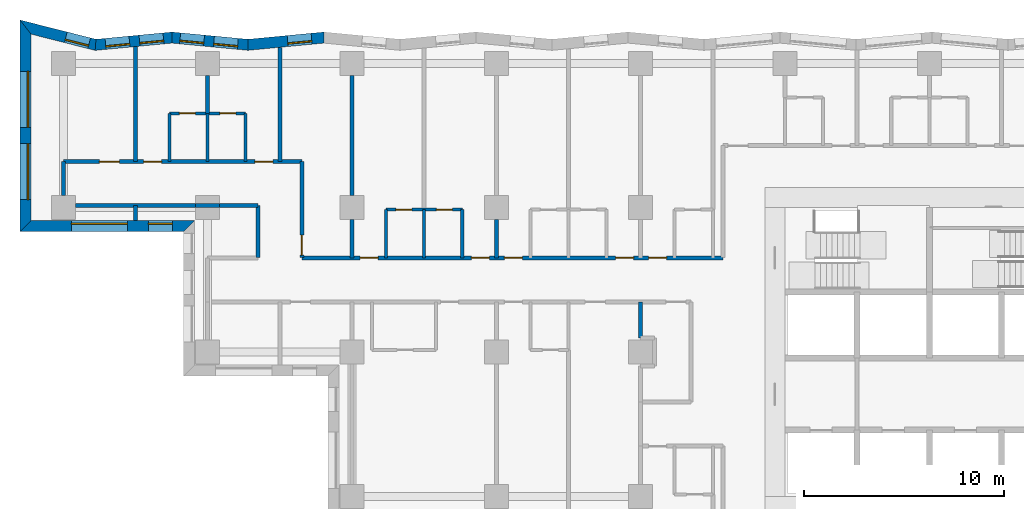
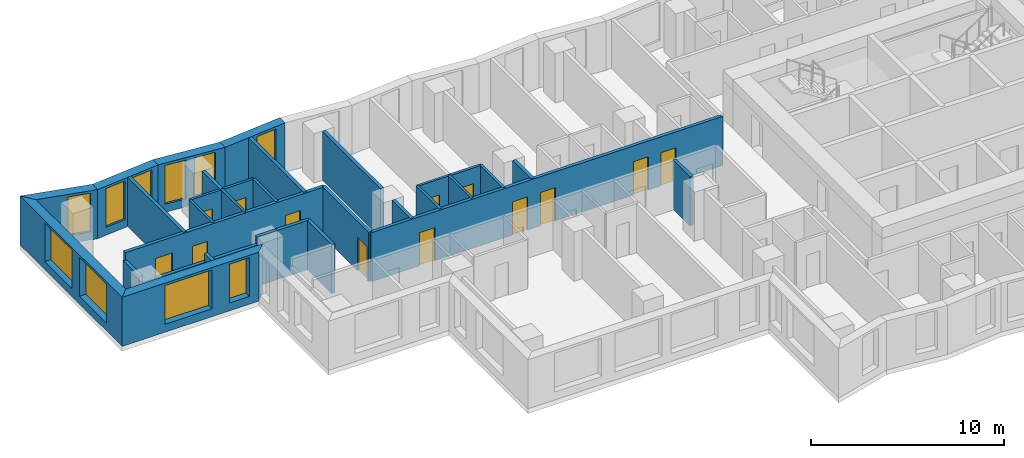
# One storey, part 4 of 13: 30 walls, 13 doors, 10 windows, 23 openings.
"""IFC4 building model written with IfcOpenShell, lengths in metres."""

from ifc_helpers import new_model, si_unit, direction, frame, frame_2d, origin, place, context, subcontext, project, spatial, polyline, rectangle, outline, extrude, material, layer, layer_set, type_object, element, fill, save


model = new_model("IFC4")

# Units and contexts
model_context = context("Model", 3, precision=1e-05, world=origin(), true_north=direction((0.0, 1.0)))
body_context = subcontext(model_context, "Body", "Model", "MODEL_VIEW")
ifc_project = project(units=[si_unit("LENGTHUNIT", "METRE"), si_unit("AREAUNIT", "SQUARE_METRE"), si_unit("VOLUMEUNIT", "CUBIC_METRE"), si_unit("PLANEANGLEUNIT", "RADIAN"), si_unit("MASSUNIT", "GRAM", prefix="KILO")], contexts=[model_context])

# Site, building, storey
site_placement = place(None, origin())
site = spatial("IfcSite", under=ifc_project, at=site_placement, CompositionType="ELEMENT")
building_placement = place(site_placement, origin())
building = spatial("IfcBuilding", under=site, at=building_placement, Name="Windrow Commons", CompositionType="ELEMENT")
storey_placement = place(building_placement, frame((0.0, 0.0, 33.8)))
storey = spatial("IfcBuildingStorey", under=building, at=storey_placement, Name="L08", CompositionType="ELEMENT", Elevation=33.8)

# Wall, opening, window
ifc_material_1 = material(Name="Brick masonry, red clay brick", Category="masonry")
ifc_layer_1 = layer(ifc_material_1, 0.55)
ifc_layer_set_1 = layer_set([ifc_layer_1], Name="Brick facade wall 550")
wall_type_1 = type_object("IfcWallType", Name="Brick facade wall 550", PredefinedType="SOLIDWALL", material=ifc_layer_set_1)
wall_1_placement = place(storey_placement, frame((34.603, 73.2848, 0.0), z_axis=(0.0, 0.0, 1.0), x_axis=(-0.9954966527, -0.0947967005, 0.0)))
wall_1 = element("IfcWall", 1, at=wall_1_placement, inside=storey, type_object=wall_type_1, Name="Brick facade wall L08 35", PredefinedType="SOLIDWALL", context=body_context, shape_type="SweptSolid", body=[
    extrude(outline(polyline([(-0.0262, -0.275), (3.782, -0.275), (3.8343, 0.275), (0.0262, 0.275), (-0.0262, -0.275)])), origin(), (0.0, 0.0, 1.0), 3.1),
])
opening_1_placement = place(wall_1_placement, frame((0.6196, 0.0, 0.5)))
opening_1 = element("IfcOpeningElement", 2, at=opening_1_placement, cuts=wall_1, Name="Opening W7D", PredefinedType="OPENING", context=body_context, shape_type="SweptSolid", body=[
    extrude(rectangle(XDim=1.2, YDim=2.45, at=frame_2d((0.6, 1.225))), frame((0.0, 0.285, 0.0), z_axis=(0.0, -1.0, 0.0), x_axis=(1.0, 0.0, 0.0)), (0.0, 0.0, 1.0), 0.57),
])
ifc_material_2 = material(Name="Clear float glass in anodised aluminium frame", Category="aluminium")
window_type_1 = type_object("IfcWindowType", Name="Window W7 notch 1200x2450", PartitioningType="SINGLE_PANEL", PredefinedType="WINDOW", material=ifc_material_2)
window_1_placement = place(opening_1_placement, origin())
window_1 = element("IfcWindow", 3, at=window_1_placement, inside=storey, type_object=window_type_1, Name="Window L08 35.1", OverallHeight=2.45, OverallWidth=1.2, PartitioningType="SINGLE_PANEL", PredefinedType="WINDOW", context=body_context, shape_type="SweptSolid", body=[
    extrude(rectangle(XDim=1.2, YDim=2.45, at=frame_2d((0.6, 1.225))), frame((0.0, 0.155, 0.0), z_axis=(0.0, -1.0, 0.0), x_axis=(1.0, 0.0, 0.0)), (0.0, 0.0, 1.0), 0.06),
])
fill(opening_1, window_1)

# Wall, openings, windows
wall_2_placement = place(storey_placement, frame((30.812, 72.9238, 0.0), z_axis=(0.0, 0.0, 1.0), x_axis=(-0.9954966527, 0.0947967005, 0.0)))
wall_2 = element("IfcWall", 4, at=wall_2_placement, inside=storey, type_object=wall_type_1, Name="Brick facade wall L08 36", PredefinedType="SOLIDWALL", context=body_context, shape_type="SweptSolid", body=[
    extrude(outline(polyline([(0.0262, -0.275), (3.8343, -0.275), (3.782, 0.275), (-0.0262, 0.275), (0.0262, -0.275)])), origin(), (0.0, 0.0, 1.0), 3.1),
])
opening_2_placement = place(wall_2_placement, frame((0.5106, 0.0, 0.5)))
opening_2 = element("IfcOpeningElement", 5, at=opening_2_placement, cuts=wall_2, Name="Opening W7D", PredefinedType="OPENING", context=body_context, shape_type="SweptSolid", body=[
    extrude(rectangle(XDim=1.2, YDim=2.45, at=frame_2d((0.6, 1.225))), frame((0.0, 0.285, 0.0), z_axis=(0.0, -1.0, 0.0), x_axis=(1.0, 0.0, 0.0)), (0.0, 0.0, 1.0), 0.57),
])
opening_3_placement = place(wall_2_placement, frame((2.2016, 0.0, 0.5)))
opening_3 = element("IfcOpeningElement", 6, at=opening_3_placement, cuts=wall_2, Name="Opening W7D", PredefinedType="OPENING", context=body_context, shape_type="SweptSolid", body=[
    extrude(rectangle(XDim=1.2, YDim=2.45, at=frame_2d((0.6, 1.225))), frame((0.0, 0.285, 0.0), z_axis=(0.0, -1.0, 0.0), x_axis=(1.0, 0.0, 0.0)), (0.0, 0.0, 1.0), 0.57),
])
window_2_placement = place(opening_2_placement, origin())
window_2 = element("IfcWindow", 7, at=window_2_placement, inside=storey, type_object=window_type_1, Name="Window L08 36.1", OverallHeight=2.45, OverallWidth=1.2, PartitioningType="SINGLE_PANEL", PredefinedType="WINDOW", context=body_context, shape_type="SweptSolid", body=[
    extrude(rectangle(XDim=1.2, YDim=2.45, at=frame_2d((0.6, 1.225))), frame((0.0, 0.155, 0.0), z_axis=(0.0, -1.0, 0.0), x_axis=(1.0, 0.0, 0.0)), (0.0, 0.0, 1.0), 0.06),
])
fill(opening_2, window_2)
window_3_placement = place(opening_3_placement, origin())
window_3 = element("IfcWindow", 8, at=window_3_placement, inside=storey, type_object=window_type_1, Name="Window L08 36.2", OverallHeight=2.45, OverallWidth=1.2, PartitioningType="SINGLE_PANEL", PredefinedType="WINDOW", context=body_context, shape_type="SweptSolid", body=[
    extrude(rectangle(XDim=1.2, YDim=2.45, at=frame_2d((0.6, 1.225))), frame((0.0, 0.155, 0.0), z_axis=(0.0, -1.0, 0.0), x_axis=(1.0, 0.0, 0.0)), (0.0, 0.0, 1.0), 0.06),
])
fill(opening_3, window_3)

wall_3_placement = place(storey_placement, frame((27.021, 73.2848, 0.0), z_axis=(0.0, 0.0, 1.0), x_axis=(-0.9954951205, -0.0948127894, 0.0)))
wall_3 = element("IfcWall", 9, at=wall_3_placement, inside=storey, type_object=wall_type_1, Name="Brick facade wall L08 37", PredefinedType="SOLIDWALL", context=body_context, shape_type="SweptSolid", body=[
    extrude(outline(polyline([(-0.0262, -0.275), (3.782, -0.275), (3.8773, 0.275), (0.0262, 0.275), (-0.0262, -0.275)])), origin(), (0.0, 0.0, 1.0), 3.1),
])
opening_4_placement = place(wall_3_placement, frame((0.4277, 0.0, 0.5)))
opening_4 = element("IfcOpeningElement", 10, at=opening_4_placement, cuts=wall_3, Name="Opening W7D", PredefinedType="OPENING", context=body_context, shape_type="SweptSolid", body=[
    extrude(rectangle(XDim=1.2, YDim=2.45, at=frame_2d((0.6, 1.225))), frame((0.0, 0.285, 0.0), z_axis=(0.0, -1.0, 0.0), x_axis=(1.0, 0.0, 0.0)), (0.0, 0.0, 1.0), 0.57),
])
opening_5_placement = place(wall_3_placement, frame((2.1294, 0.0, 0.5)))
opening_5 = element("IfcOpeningElement", 11, at=opening_5_placement, cuts=wall_3, Name="Opening W7D", PredefinedType="OPENING", context=body_context, shape_type="SweptSolid", body=[
    extrude(rectangle(XDim=1.2, YDim=2.45, at=frame_2d((0.6, 1.225))), frame((0.0, 0.285, 0.0), z_axis=(0.0, -1.0, 0.0), x_axis=(1.0, 0.0, 0.0)), (0.0, 0.0, 1.0), 0.57),
])
window_4_placement = place(opening_4_placement, origin())
window_4 = element("IfcWindow", 12, at=window_4_placement, inside=storey, type_object=window_type_1, Name="Window L08 37.1", OverallHeight=2.45, OverallWidth=1.2, PartitioningType="SINGLE_PANEL", PredefinedType="WINDOW", context=body_context, shape_type="SweptSolid", body=[
    extrude(rectangle(XDim=1.2, YDim=2.45, at=frame_2d((0.6, 1.225))), frame((0.0, 0.155, 0.0), z_axis=(0.0, -1.0, 0.0), x_axis=(1.0, 0.0, 0.0)), (0.0, 0.0, 1.0), 0.06),
])
fill(opening_4, window_4)
window_5_placement = place(opening_5_placement, origin())
window_5 = element("IfcWindow", 13, at=window_5_placement, inside=storey, type_object=window_type_1, Name="Window L08 37.2", OverallHeight=2.45, OverallWidth=1.2, PartitioningType="SINGLE_PANEL", PredefinedType="WINDOW", context=body_context, shape_type="SweptSolid", body=[
    extrude(rectangle(XDim=1.2, YDim=2.45, at=frame_2d((0.6, 1.225))), frame((0.0, 0.155, 0.0), z_axis=(0.0, -1.0, 0.0), x_axis=(1.0, 0.0, 0.0)), (0.0, 0.0, 1.0), 0.06),
])
fill(opening_5, window_5)

# Wall, opening, window
wall_4_placement = place(storey_placement, frame((23.2086, 72.9217, 0.0), z_axis=(0.0, 0.0, 1.0), x_axis=(-0.9693377173, 0.2457323539, 0.0)))
wall_4 = element("IfcWall", 14, at=wall_4_placement, inside=storey, type_object=wall_type_1, Name="Brick facade wall L08 38", PredefinedType="SOLIDWALL", context=body_context, shape_type="SweptSolid", body=[
    extrude(outline(polyline([(0.0477, -0.275), (3.9586, -0.275), (3.2518, 0.275), (-0.0477, 0.275), (0.0477, -0.275)])), origin(), (0.0, 0.0, 1.0), 3.1),
])
opening_6_placement = place(wall_4_placement, frame((0.3298, 0.0, 0.5)))
opening_6 = element("IfcOpeningElement", 15, at=opening_6_placement, cuts=wall_4, Name="Opening W7D", PredefinedType="OPENING", context=body_context, shape_type="SweptSolid", body=[
    extrude(rectangle(XDim=1.2, YDim=2.45, at=frame_2d((0.6, 1.225))), frame((0.0, 0.285, 0.0), z_axis=(0.0, -1.0, 0.0), x_axis=(1.0, 0.0, 0.0)), (0.0, 0.0, 1.0), 0.57),
])
window_6_placement = place(opening_6_placement, origin())
window_6 = element("IfcWindow", 16, at=window_6_placement, inside=storey, type_object=window_type_1, Name="Window L08 38.1", OverallHeight=2.45, OverallWidth=1.2, PartitioningType="SINGLE_PANEL", PredefinedType="WINDOW", context=body_context, shape_type="SweptSolid", body=[
    extrude(rectangle(XDim=1.2, YDim=2.45, at=frame_2d((0.6, 1.225))), frame((0.0, 0.155, 0.0), z_axis=(0.0, -1.0, 0.0), x_axis=(1.0, 0.0, 0.0)), (0.0, 0.0, 1.0), 0.06),
])
fill(opening_6, window_6)

# Wall, openings, windows
wall_5_placement = place(storey_placement, frame((19.714, 73.8076, 0.0), z_axis=(0.0, 0.0, 1.0), x_axis=(0.0, -1.0, 0.0)))
wall_5 = element("IfcWall", 17, at=wall_5_placement, inside=storey, type_object=wall_type_1, Name="Brick facade wall L08 39", PredefinedType="SOLIDWALL", context=body_context, shape_type="SweptSolid", body=[
    extrude(outline(polyline([(-0.3534, -0.275), (10.2076, -0.275), (9.6576, 0.275), (0.3534, 0.275), (-0.3534, -0.275)])), origin(), (0.0, 0.0, 1.0), 3.1),
])
opening_7_placement = place(wall_5_placement, frame((2.2076, 0.0, 0.5)))
opening_7 = element("IfcOpeningElement", 18, at=opening_7_placement, cuts=wall_5, Name="Opening W1T", PredefinedType="OPENING", context=body_context, shape_type="SweptSolid", body=[
    extrude(rectangle(XDim=2.8, YDim=2.45, at=frame_2d((1.4, 1.225))), frame((0.0, 0.285, 0.0), z_axis=(0.0, -1.0, 0.0), x_axis=(1.0, 0.0, 0.0)), (0.0, 0.0, 1.0), 0.57),
])
opening_8_placement = place(wall_5_placement, frame((5.8076, 0.0, 0.5)))
opening_8 = element("IfcOpeningElement", 19, at=opening_8_placement, cuts=wall_5, Name="Opening W1T", PredefinedType="OPENING", context=body_context, shape_type="SweptSolid", body=[
    extrude(rectangle(XDim=2.8, YDim=2.45, at=frame_2d((1.4, 1.225))), frame((0.0, 0.285, 0.0), z_axis=(0.0, -1.0, 0.0), x_axis=(1.0, 0.0, 0.0)), (0.0, 0.0, 1.0), 0.57),
])
ifc_material_3 = material(Name="Clear float glass in anodised aluminium frame", Category="aluminium")
window_type_2 = type_object("IfcWindowType", Name="Window W1T bedroom 2800x2450", PartitioningType="SINGLE_PANEL", PredefinedType="WINDOW", material=ifc_material_3)
window_7_placement = place(opening_7_placement, origin())
window_7 = element("IfcWindow", 20, at=window_7_placement, inside=storey, type_object=window_type_2, Name="Window L08 39.1", OverallHeight=2.45, OverallWidth=2.8, PartitioningType="SINGLE_PANEL", PredefinedType="WINDOW", context=body_context, shape_type="SweptSolid", body=[
    extrude(rectangle(XDim=2.8, YDim=2.45, at=frame_2d((1.4, 1.225))), frame((0.0, 0.155, 0.0), z_axis=(0.0, -1.0, 0.0), x_axis=(1.0, 0.0, 0.0)), (0.0, 0.0, 1.0), 0.06),
])
fill(opening_7, window_7)
window_8_placement = place(opening_8_placement, origin())
window_8 = element("IfcWindow", 21, at=window_8_placement, inside=storey, type_object=window_type_2, Name="Window L08 39.2", OverallHeight=2.45, OverallWidth=2.8, PartitioningType="SINGLE_PANEL", PredefinedType="WINDOW", context=body_context, shape_type="SweptSolid", body=[
    extrude(rectangle(XDim=2.8, YDim=2.45, at=frame_2d((1.4, 1.225))), frame((0.0, 0.155, 0.0), z_axis=(0.0, -1.0, 0.0), x_axis=(1.0, 0.0, 0.0)), (0.0, 0.0, 1.0), 0.06),
])
fill(opening_8, window_8)

wall_6_placement = place(storey_placement, frame((19.714, 63.875, 0.0), z_axis=(0.0, 0.0, 1.0), x_axis=(1.0, 0.0, 0.0)))
wall_6 = element("IfcWall", 22, at=wall_6_placement, inside=storey, type_object=wall_type_1, Name="Brick facade wall L08 40", PredefinedType="SOLIDWALL", context=body_context, shape_type="SweptSolid", body=[
    extrude(outline(polyline([(-0.275, -0.275), (7.886, -0.275), (8.436, 0.275), (0.275, 0.275), (-0.275, -0.275)])), origin(), (0.0, 0.0, 1.0), 3.1),
])
opening_9_placement = place(wall_6_placement, frame((2.286, 0.0, 0.5)))
opening_9 = element("IfcOpeningElement", 23, at=opening_9_placement, cuts=wall_6, Name="Opening W1T", PredefinedType="OPENING", context=body_context, shape_type="SweptSolid", body=[
    extrude(rectangle(XDim=2.8, YDim=2.45, at=frame_2d((1.4, 1.225))), frame((0.0, 0.285, 0.0), z_axis=(0.0, -1.0, 0.0), x_axis=(1.0, 0.0, 0.0)), (0.0, 0.0, 1.0), 0.57),
])
opening_10_placement = place(wall_6_placement, frame((6.1235, 0.0, 0.5)))
opening_10 = element("IfcOpeningElement", 24, at=opening_10_placement, cuts=wall_6, Name="Opening W7D", PredefinedType="OPENING", context=body_context, shape_type="SweptSolid", body=[
    extrude(rectangle(XDim=1.2, YDim=2.45, at=frame_2d((0.6, 1.225))), frame((0.0, 0.285, 0.0), z_axis=(0.0, -1.0, 0.0), x_axis=(1.0, 0.0, 0.0)), (0.0, 0.0, 1.0), 0.57),
])
window_9_placement = place(opening_9_placement, origin())
window_9 = element("IfcWindow", 25, at=window_9_placement, inside=storey, type_object=window_type_2, Name="Window L08 40.1", OverallHeight=2.45, OverallWidth=2.8, PartitioningType="SINGLE_PANEL", PredefinedType="WINDOW", context=body_context, shape_type="SweptSolid", body=[
    extrude(rectangle(XDim=2.8, YDim=2.45, at=frame_2d((1.4, 1.225))), frame((0.0, 0.155, 0.0), z_axis=(0.0, -1.0, 0.0), x_axis=(1.0, 0.0, 0.0)), (0.0, 0.0, 1.0), 0.06),
])
fill(opening_9, window_9)
window_10_placement = place(opening_10_placement, origin())
window_10 = element("IfcWindow", 26, at=window_10_placement, inside=storey, type_object=window_type_1, Name="Window L08 40.2", OverallHeight=2.45, OverallWidth=1.2, PartitioningType="SINGLE_PANEL", PredefinedType="WINDOW", context=body_context, shape_type="SweptSolid", body=[
    extrude(rectangle(XDim=1.2, YDim=2.45, at=frame_2d((0.6, 1.225))), frame((0.0, 0.155, 0.0), z_axis=(0.0, -1.0, 0.0), x_axis=(1.0, 0.0, 0.0)), (0.0, 0.0, 1.0), 0.06),
])
fill(opening_10, window_10)

# Wall, openings, doors
ifc_material_4 = material(Name="Blockwork partition", Category="masonry")
ifc_layer_2 = layer(ifc_material_4, 0.2)
ifc_layer_set_2 = layer_set([ifc_layer_2], Name="IW-CORRIDOR-200")
wall_type_2 = type_object("IfcWallType", Name="IW-CORRIDOR-200", PredefinedType="PARTITIONING", material=ifc_layer_set_2)
wall_7_placement = place(storey_placement, frame((33.502, 62.3, 0.0), z_axis=(0.0, 0.0, 1.0), x_axis=(1.0, 0.0, 0.0)))
wall_7 = element("IfcWall", 27, at=wall_7_placement, inside=storey, type_object=wall_type_2, Name="W-L08-W001", PredefinedType="PARTITIONING", context=body_context, shape_type="SweptSolid", body=[
    extrude(rectangle(XDim=20.998, YDim=0.2, at=frame_2d((10.499, 0.0))), origin(), (0.0, 0.0, 1.0), 3.1),
])
opening_11_placement = place(wall_7_placement, frame((2.898, 0.0, 0.0)))
opening_11 = element("IfcOpeningElement", 28, at=opening_11_placement, cuts=wall_7, Name="Opening D109S", PredefinedType="OPENING", context=body_context, shape_type="SweptSolid", body=[
    extrude(rectangle(XDim=0.9, YDim=2.1, at=frame_2d((0.45, 1.05))), frame((0.0, 0.11, 0.0), z_axis=(0.0, -1.0, 0.0), x_axis=(1.0, 0.0, 0.0)), (0.0, 0.0, 1.0), 0.22),
])
opening_12_placement = place(wall_7_placement, frame((8.448, 0.0, 0.0)))
opening_12 = element("IfcOpeningElement", 29, at=opening_12_placement, cuts=wall_7, Name="Opening D109S", PredefinedType="OPENING", context=body_context, shape_type="SweptSolid", body=[
    extrude(rectangle(XDim=0.9, YDim=2.1, at=frame_2d((0.45, 1.05))), frame((0.0, 0.11, 0.0), z_axis=(0.0, -1.0, 0.0), x_axis=(1.0, 0.0, 0.0)), (0.0, 0.0, 1.0), 0.22),
])
opening_13_placement = place(wall_7_placement, frame((10.098, 0.0, 0.0)))
opening_13 = element("IfcOpeningElement", 30, at=opening_13_placement, cuts=wall_7, Name="Opening D109S", PredefinedType="OPENING", context=body_context, shape_type="SweptSolid", body=[
    extrude(rectangle(XDim=0.9, YDim=2.1, at=frame_2d((0.45, 1.05))), frame((0.0, 0.11, 0.0), z_axis=(0.0, -1.0, 0.0), x_axis=(1.0, 0.0, 0.0)), (0.0, 0.0, 1.0), 0.22),
])
opening_14_placement = place(wall_7_placement, frame((15.648, 0.0, 0.0)))
opening_14 = element("IfcOpeningElement", 31, at=opening_14_placement, cuts=wall_7, Name="Opening D109S", PredefinedType="OPENING", context=body_context, shape_type="SweptSolid", body=[
    extrude(rectangle(XDim=0.9, YDim=2.1, at=frame_2d((0.45, 1.05))), frame((0.0, 0.11, 0.0), z_axis=(0.0, -1.0, 0.0), x_axis=(1.0, 0.0, 0.0)), (0.0, 0.0, 1.0), 0.22),
])
opening_15_placement = place(wall_7_placement, frame((17.298, 0.0, 0.0)))
opening_15 = element("IfcOpeningElement", 32, at=opening_15_placement, cuts=wall_7, Name="Opening D109S", PredefinedType="OPENING", context=body_context, shape_type="SweptSolid", body=[
    extrude(rectangle(XDim=0.9, YDim=2.1, at=frame_2d((0.45, 1.05))), frame((0.0, 0.11, 0.0), z_axis=(0.0, -1.0, 0.0), x_axis=(1.0, 0.0, 0.0)), (0.0, 0.0, 1.0), 0.22),
])
ifc_material_5 = material(Name="Timber door leaf", Category="wood")
door_type_1 = type_object("IfcDoorType", Name="DT-BEDROOM-900", OperationType="SINGLE_SWING_LEFT", PredefinedType="DOOR", material=ifc_material_5)
door_1_placement = place(opening_11_placement, origin())
door_1 = element("IfcDoor", 33, at=door_1_placement, inside=storey, type_object=door_type_1, Name="D-L08-D014", OperationType="SINGLE_SWING_RIGHT", OverallHeight=2.1, OverallWidth=0.9, PredefinedType="DOOR", context=body_context, shape_type="SweptSolid", body=[
    extrude(rectangle(XDim=0.9, YDim=2.1, at=frame_2d((0.45, 1.05))), frame((0.0, 0.025, 0.0), z_axis=(0.0, -1.0, 0.0), x_axis=(1.0, 0.0, 0.0)), (0.0, 0.0, 1.0), 0.05),
])
fill(opening_11, door_1)
door_2_placement = place(opening_12_placement, origin())
door_2 = element("IfcDoor", 34, at=door_2_placement, inside=storey, type_object=door_type_1, Name="D-L08-D016", OperationType="SINGLE_SWING_LEFT", OverallHeight=2.1, OverallWidth=0.9, PredefinedType="DOOR", context=body_context, shape_type="SweptSolid", body=[
    extrude(rectangle(XDim=0.9, YDim=2.1, at=frame_2d((0.45, 1.05))), frame((0.0, 0.025, 0.0), z_axis=(0.0, -1.0, 0.0), x_axis=(1.0, 0.0, 0.0)), (0.0, 0.0, 1.0), 0.05),
])
fill(opening_12, door_2)
door_3_placement = place(opening_13_placement, origin())
door_3 = element("IfcDoor", 35, at=door_3_placement, inside=storey, type_object=door_type_1, Name="D-L08-D018", OperationType="SINGLE_SWING_RIGHT", OverallHeight=2.1, OverallWidth=0.9, PredefinedType="DOOR", context=body_context, shape_type="SweptSolid", body=[
    extrude(rectangle(XDim=0.9, YDim=2.1, at=frame_2d((0.45, 1.05))), frame((0.0, 0.025, 0.0), z_axis=(0.0, -1.0, 0.0), x_axis=(1.0, 0.0, 0.0)), (0.0, 0.0, 1.0), 0.05),
])
fill(opening_13, door_3)
door_4_placement = place(opening_14_placement, origin())
door_4 = element("IfcDoor", 36, at=door_4_placement, inside=storey, type_object=door_type_1, Name="D-L08-D020", OperationType="SINGLE_SWING_LEFT", OverallHeight=2.1, OverallWidth=0.9, PredefinedType="DOOR", context=body_context, shape_type="SweptSolid", body=[
    extrude(rectangle(XDim=0.9, YDim=2.1, at=frame_2d((0.45, 1.05))), frame((0.0, 0.025, 0.0), z_axis=(0.0, -1.0, 0.0), x_axis=(1.0, 0.0, 0.0)), (0.0, 0.0, 1.0), 0.05),
])
fill(opening_14, door_4)
door_5_placement = place(opening_15_placement, origin())
door_5 = element("IfcDoor", 37, at=door_5_placement, inside=storey, type_object=door_type_1, Name="D-L08-D022", OperationType="SINGLE_SWING_RIGHT", OverallHeight=2.1, OverallWidth=0.9, PredefinedType="DOOR", context=body_context, shape_type="SweptSolid", body=[
    extrude(rectangle(XDim=0.9, YDim=2.1, at=frame_2d((0.45, 1.05))), frame((0.0, 0.025, 0.0), z_axis=(0.0, -1.0, 0.0), x_axis=(1.0, 0.0, 0.0)), (0.0, 0.0, 1.0), 0.05),
])
fill(opening_15, door_5)

wall_8_placement = place(storey_placement, frame((21.602, 67.1, 0.0), z_axis=(0.0, 0.0, 1.0), x_axis=(1.0, 0.0, 0.0)))
wall_8 = element("IfcWall", 38, at=wall_8_placement, inside=storey, type_object=wall_type_2, Name="W-L08-W005", PredefinedType="PARTITIONING", context=body_context, shape_type="SweptSolid", body=[
    extrude(rectangle(XDim=11.898, YDim=0.2, at=frame_2d((5.949, 0.0))), origin(), (0.0, 0.0, 1.0), 3.1),
])
opening_16_placement = place(wall_8_placement, frame((1.7981, 0.0, 0.0)))
opening_16 = element("IfcOpeningElement", 39, at=opening_16_placement, cuts=wall_8, Name="Opening D310F", PredefinedType="OPENING", context=body_context, shape_type="SweptSolid", body=[
    extrude(rectangle(XDim=1.0, YDim=2.1, at=frame_2d((0.5, 1.05))), frame((0.0, 0.11, 0.0), z_axis=(0.0, -1.0, 0.0), x_axis=(1.0, 0.0, 0.0)), (0.0, 0.0, 1.0), 0.22),
])
opening_17_placement = place(wall_8_placement, frame((3.998, 0.0, 0.0)))
opening_17 = element("IfcOpeningElement", 40, at=opening_17_placement, cuts=wall_8, Name="Opening D109S", PredefinedType="OPENING", context=body_context, shape_type="SweptSolid", body=[
    extrude(rectangle(XDim=0.9, YDim=2.1, at=frame_2d((0.45, 1.05))), frame((0.0, 0.11, 0.0), z_axis=(0.0, -1.0, 0.0), x_axis=(1.0, 0.0, 0.0)), (0.0, 0.0, 1.0), 0.22),
])
opening_18_placement = place(wall_8_placement, frame((9.548, 0.0, 0.0)))
opening_18 = element("IfcOpeningElement", 41, at=opening_18_placement, cuts=wall_8, Name="Opening D109S", PredefinedType="OPENING", context=body_context, shape_type="SweptSolid", body=[
    extrude(rectangle(XDim=0.9, YDim=2.1, at=frame_2d((0.45, 1.05))), frame((0.0, 0.11, 0.0), z_axis=(0.0, -1.0, 0.0), x_axis=(1.0, 0.0, 0.0)), (0.0, 0.0, 1.0), 0.22),
])
ifc_material_6 = material(Name="Timber door leaf", Category="wood")
door_type_2 = type_object("IfcDoorType", Name="DT-AMENITY-1000", OperationType="SINGLE_SWING_LEFT", PredefinedType="DOOR", material=ifc_material_6)
door_6_placement = place(opening_16_placement, origin())
door_6 = element("IfcDoor", 42, at=door_6_placement, inside=storey, type_object=door_type_2, Name="D-L08-D001", OperationType="SINGLE_SWING_RIGHT", OverallHeight=2.1, OverallWidth=1.0, PredefinedType="DOOR", context=body_context, shape_type="SweptSolid", body=[
    extrude(rectangle(XDim=1.0, YDim=2.1, at=frame_2d((0.5, 1.05))), frame((0.0, 0.025, 0.0), z_axis=(0.0, -1.0, 0.0), x_axis=(1.0, 0.0, 0.0)), (0.0, 0.0, 1.0), 0.05),
])
fill(opening_16, door_6)
door_7_placement = place(opening_17_placement, origin())
door_7 = element("IfcDoor", 43, at=door_7_placement, inside=storey, type_object=door_type_1, Name="D-L08-D003", OperationType="SINGLE_SWING_LEFT", OverallHeight=2.1, OverallWidth=0.9, PredefinedType="DOOR", context=body_context, shape_type="SweptSolid", body=[
    extrude(rectangle(XDim=0.9, YDim=2.1, at=frame_2d((0.45, 1.05))), frame((0.0, 0.025, 0.0), z_axis=(0.0, -1.0, 0.0), x_axis=(1.0, 0.0, 0.0)), (0.0, 0.0, 1.0), 0.05),
])
fill(opening_17, door_7)
door_8_placement = place(opening_18_placement, origin())
door_8 = element("IfcDoor", 44, at=door_8_placement, inside=storey, type_object=door_type_1, Name="D-L08-D005", OperationType="SINGLE_SWING_RIGHT", OverallHeight=2.1, OverallWidth=0.9, PredefinedType="DOOR", context=body_context, shape_type="SweptSolid", body=[
    extrude(rectangle(XDim=0.9, YDim=2.1, at=frame_2d((0.45, 1.05))), frame((0.0, 0.025, 0.0), z_axis=(0.0, -1.0, 0.0), x_axis=(1.0, 0.0, 0.0)), (0.0, 0.0, 1.0), 0.05),
])
fill(opening_18, door_8)

# Wall
wall_9_placement = place(storey_placement, frame((22.2, 64.9, 0.0), z_axis=(0.0, 0.0, 1.0), x_axis=(1.0, 0.0, 0.0)))
element("IfcWall", 45, at=wall_9_placement, inside=storey, type_object=wall_type_2, Name="W-L08-W028", PredefinedType="PARTITIONING", context=body_context, shape_type="SweptSolid", body=[
    extrude(rectangle(XDim=6.0, YDim=0.2, at=frame_2d((3.0, 0.0))), origin(), (0.0, 0.0, 1.0), 2.6),
])

# Wall, opening, door
wall_10_placement = place(storey_placement, frame((33.5, 62.302, 0.0), z_axis=(0.0, 0.0, 1.0), x_axis=(0.0, 1.0, 0.0)))
wall_10 = element("IfcWall", 46, at=wall_10_placement, inside=storey, type_object=wall_type_2, Name="W-L08-W051", PredefinedType="PARTITIONING", context=body_context, shape_type="SweptSolid", body=[
    extrude(rectangle(XDim=4.798, YDim=0.2, at=frame_2d((2.399, 0.0))), origin(), (0.0, 0.0, 1.0), 3.1),
])
opening_19_placement = place(wall_10_placement, frame((0.133, 0.0, 0.0)))
opening_19 = element("IfcOpeningElement", 47, at=opening_19_placement, cuts=wall_10, Name="Opening D310F", PredefinedType="OPENING", context=body_context, shape_type="SweptSolid", body=[
    extrude(rectangle(XDim=1.0, YDim=2.1, at=frame_2d((0.5, 1.05))), frame((0.0, 0.11, 0.0), z_axis=(0.0, -1.0, 0.0), x_axis=(1.0, 0.0, 0.0)), (0.0, 0.0, 1.0), 0.22),
])
door_9_placement = place(opening_19_placement, origin())
door_9 = element("IfcDoor", 48, at=door_9_placement, inside=storey, type_object=door_type_2, Name="D-L08-D013", OperationType="SINGLE_SWING_LEFT", OverallHeight=2.1, OverallWidth=1.0, PredefinedType="DOOR", context=body_context, shape_type="SweptSolid", body=[
    extrude(rectangle(XDim=1.0, YDim=2.1, at=frame_2d((0.5, 1.05))), frame((0.0, 0.025, 0.0), z_axis=(0.0, -1.0, 0.0), x_axis=(1.0, 0.0, 0.0)), (0.0, 0.0, 1.0), 0.05),
])
fill(opening_19, door_9)

# Walls
wall_11_placement = place(storey_placement, frame((31.3, 62.302, 0.0), z_axis=(0.0, 0.0, 1.0), x_axis=(0.0, 1.0, 0.0)))
element("IfcWall", 49, at=wall_11_placement, inside=storey, type_object=wall_type_2, Name="W-L08-W074", PredefinedType="PARTITIONING", context=body_context, shape_type="SweptSolid", body=[
    extrude(rectangle(XDim=2.598, YDim=0.2, at=frame_2d((1.299, 0.0))), origin(), (0.0, 0.0, 1.0), 3.1),
])
wall_12_placement = place(storey_placement, frame((29.4, 64.9, 0.0), z_axis=(0.0, 0.0, 1.0), x_axis=(1.0, 0.0, 0.0)))
element("IfcWall", 50, at=wall_12_placement, inside=storey, type_object=wall_type_2, Name="W-L08-W145", PredefinedType="PARTITIONING", context=body_context, shape_type="SweptSolid", body=[
    extrude(rectangle(XDim=1.9, YDim=0.2, at=frame_2d((0.95, 0.0))), origin(), (0.0, 0.0, 1.0), 3.1),
])
wall_13_placement = place(storey_placement, frame((21.6, 65.4, 0.0), z_axis=(0.0, 0.0, 1.0), x_axis=(0.0, 1.0, 0.0)))
element("IfcWall", 51, at=wall_13_placement, inside=storey, type_object=wall_type_2, Name="W-L08-W165", PredefinedType="PARTITIONING", context=body_context, shape_type="SweptSolid", body=[
    extrude(rectangle(XDim=1.698, YDim=0.2, at=frame_2d((0.849, 0.0))), origin(), (0.0, 0.0, 1.0), 2.6),
])
wall_14_placement = place(storey_placement, frame((28.2, 64.9, 0.0), z_axis=(0.0, 0.0, 1.0), x_axis=(1.0, 0.0, 0.0)))
element("IfcWall", 52, at=wall_14_placement, inside=storey, type_object=wall_type_2, Name="W-L08-W211", PredefinedType="PARTITIONING", context=body_context, shape_type="SweptSolid", body=[
    extrude(rectangle(XDim=1.2, YDim=0.2, at=frame_2d((0.6, 0.0))), origin(), (0.0, 0.0, 1.0), 3.1),
])

# Wall, openings, doors
ifc_material_7 = material(Name="Blockwork partition", Category="masonry")
ifc_layer_3 = layer(ifc_material_7, 0.15)
ifc_layer_set_3 = layer_set([ifc_layer_3], Name="IW-ENSUITE-150")
wall_type_3 = type_object("IfcWallType", Name="IW-ENSUITE-150", PredefinedType="PARTITIONING", material=ifc_layer_set_3)
wall_15_placement = place(storey_placement, frame((26.9, 69.5, 0.0), z_axis=(0.0, 0.0, 1.0), x_axis=(1.0, 0.0, 0.0)))
wall_15 = element("IfcWall", 53, at=wall_15_placement, inside=storey, type_object=wall_type_3, Name="W-L08-W063", PredefinedType="PARTITIONING", context=body_context, shape_type="SweptSolid", body=[
    extrude(rectangle(XDim=3.8, YDim=0.15, at=frame_2d((1.9, 0.0))), origin(), (0.0, 0.0, 1.0), 3.1),
])
opening_20_placement = place(wall_15_placement, frame((0.4931, 0.0, 0.0)))
opening_20 = element("IfcOpeningElement", 54, at=opening_20_placement, cuts=wall_15, Name="Opening D208N", PredefinedType="OPENING", context=body_context, shape_type="SweptSolid", body=[
    extrude(rectangle(XDim=0.8, YDim=2.1, at=frame_2d((0.4, 1.05))), frame((0.0, 0.085, 0.0), z_axis=(0.0, -1.0, 0.0), x_axis=(1.0, 0.0, 0.0)), (0.0, 0.0, 1.0), 0.17),
])
opening_21_placement = place(wall_15_placement, frame((2.5069, 0.0, 0.0)))
opening_21 = element("IfcOpeningElement", 55, at=opening_21_placement, cuts=wall_15, Name="Opening D208N", PredefinedType="OPENING", context=body_context, shape_type="SweptSolid", body=[
    extrude(rectangle(XDim=0.8, YDim=2.1, at=frame_2d((0.4, 1.05))), frame((0.0, 0.085, 0.0), z_axis=(0.0, -1.0, 0.0), x_axis=(1.0, 0.0, 0.0)), (0.0, 0.0, 1.0), 0.17),
])
ifc_material_8 = material(Name="Timber door leaf", Category="wood")
door_type_3 = type_object("IfcDoorType", Name="DT-ENSUITE-800", OperationType="SINGLE_SWING_LEFT", PredefinedType="DOOR", material=ifc_material_8)
door_10_placement = place(opening_20_placement, origin())
door_10 = element("IfcDoor", 56, at=door_10_placement, inside=storey, type_object=door_type_3, Name="D-L08-D004", OperationType="SINGLE_SWING_RIGHT", OverallHeight=2.1, OverallWidth=0.8, PredefinedType="DOOR", context=body_context, shape_type="SweptSolid", body=[
    extrude(rectangle(XDim=0.8, YDim=2.1, at=frame_2d((0.4, 1.05))), frame((0.0, 0.025, 0.0), z_axis=(0.0, -1.0, 0.0), x_axis=(1.0, 0.0, 0.0)), (0.0, 0.0, 1.0), 0.05),
])
fill(opening_20, door_10)
door_11_placement = place(opening_21_placement, origin())
door_11 = element("IfcDoor", 57, at=door_11_placement, inside=storey, type_object=door_type_3, Name="D-L08-D006", OperationType="SINGLE_SWING_RIGHT", OverallHeight=2.1, OverallWidth=0.8, PredefinedType="DOOR", context=body_context, shape_type="SweptSolid", body=[
    extrude(rectangle(XDim=0.8, YDim=2.1, at=frame_2d((0.4, 1.05))), frame((0.0, 0.025, 0.0), z_axis=(0.0, -1.0, 0.0), x_axis=(1.0, 0.0, 0.0)), (0.0, 0.0, 1.0), 0.05),
])
fill(opening_21, door_11)

wall_16_placement = place(storey_placement, frame((37.7, 64.7, 0.0), z_axis=(0.0, 0.0, 1.0), x_axis=(1.0, 0.0, 0.0)))
wall_16 = element("IfcWall", 58, at=wall_16_placement, inside=storey, type_object=wall_type_3, Name="W-L08-W064", PredefinedType="PARTITIONING", context=body_context, shape_type="SweptSolid", body=[
    extrude(rectangle(XDim=3.8, YDim=0.15, at=frame_2d((1.9, 0.0))), origin(), (0.0, 0.0, 1.0), 3.1),
])
opening_22_placement = place(wall_16_placement, frame((0.4931, 0.0, 0.0)))
opening_22 = element("IfcOpeningElement", 59, at=opening_22_placement, cuts=wall_16, Name="Opening D208N", PredefinedType="OPENING", context=body_context, shape_type="SweptSolid", body=[
    extrude(rectangle(XDim=0.8, YDim=2.1, at=frame_2d((0.4, 1.05))), frame((0.0, 0.085, 0.0), z_axis=(0.0, -1.0, 0.0), x_axis=(1.0, 0.0, 0.0)), (0.0, 0.0, 1.0), 0.17),
])
opening_23_placement = place(wall_16_placement, frame((2.5069, 0.0, 0.0)))
opening_23 = element("IfcOpeningElement", 60, at=opening_23_placement, cuts=wall_16, Name="Opening D208N", PredefinedType="OPENING", context=body_context, shape_type="SweptSolid", body=[
    extrude(rectangle(XDim=0.8, YDim=2.1, at=frame_2d((0.4, 1.05))), frame((0.0, 0.085, 0.0), z_axis=(0.0, -1.0, 0.0), x_axis=(1.0, 0.0, 0.0)), (0.0, 0.0, 1.0), 0.17),
])
door_12_placement = place(opening_22_placement, origin())
door_12 = element("IfcDoor", 61, at=door_12_placement, inside=storey, type_object=door_type_3, Name="D-L08-D015", OperationType="SINGLE_SWING_RIGHT", OverallHeight=2.1, OverallWidth=0.8, PredefinedType="DOOR", context=body_context, shape_type="SweptSolid", body=[
    extrude(rectangle(XDim=0.8, YDim=2.1, at=frame_2d((0.4, 1.05))), frame((0.0, 0.025, 0.0), z_axis=(0.0, -1.0, 0.0), x_axis=(1.0, 0.0, 0.0)), (0.0, 0.0, 1.0), 0.05),
])
fill(opening_22, door_12)
door_13_placement = place(opening_23_placement, origin())
door_13 = element("IfcDoor", 62, at=door_13_placement, inside=storey, type_object=door_type_3, Name="D-L08-D017", OperationType="SINGLE_SWING_RIGHT", OverallHeight=2.1, OverallWidth=0.8, PredefinedType="DOOR", context=body_context, shape_type="SweptSolid", body=[
    extrude(rectangle(XDim=0.8, YDim=2.1, at=frame_2d((0.4, 1.05))), frame((0.0, 0.025, 0.0), z_axis=(0.0, -1.0, 0.0), x_axis=(1.0, 0.0, 0.0)), (0.0, 0.0, 1.0), 0.05),
])
fill(opening_23, door_13)

# Walls
for number, where, z_axis, x_axis, name in (
    (63, (26.9, 67.1, 0.0), (0.0, 0.0, 1.0), (0.0, 1.0, 0.0), "W-L08-W084"),
    (64, (28.8, 67.1, 0.0), (0.0, 0.0, 1.0), (0.0, 1.0, 0.0), "W-L08-W085"),
    (65, (30.7, 67.1, 0.0), (0.0, 0.0, 1.0), (0.0, 1.0, 0.0), "W-L08-W086"),
    (66, (37.7, 62.3, 0.0), (0.0, 0.0, 1.0), (0.0, 1.0, 0.0), "W-L08-W087"),
    (67, (39.6, 62.3, 0.0), (0.0, 0.0, 1.0), (0.0, 1.0, 0.0), "W-L08-W088"),
    (68, (41.5, 62.3, 0.0), (0.0, 0.0, 1.0), (0.0, 1.0, 0.0), "W-L08-W089"),
):
    element("IfcWall", number, at=place(storey_placement, frame(where, z_axis=z_axis, x_axis=x_axis)), inside=storey, type_object=wall_type_3, Name=name, PredefinedType="PARTITIONING", context=body_context, shape_type="SweptSolid", body=[
        extrude(rectangle(XDim=2.4, YDim=0.15, at=frame_2d((1.2, 0.0))), origin(), (0.0, 0.0, 1.0), 3.1),
    ])
ifc_material_9 = material(Name="Blockwork partition", Category="masonry")
ifc_layer_4 = layer(ifc_material_9, 0.2)
ifc_layer_set_4 = layer_set([ifc_layer_4], Name="IW-PARTY-200")
wall_type_4 = type_object("IfcWallType", Name="IW-PARTY-200", PredefinedType="PARTITIONING", material=ifc_layer_set_4)
wall_17_placement = place(storey_placement, frame((36.0, 65.4, 0.0), z_axis=(0.0, 0.0, 1.0), x_axis=(0.0, 1.0, 0.0)))
element("IfcWall", 69, at=wall_17_placement, inside=storey, type_object=wall_type_4, Name="W-L08-W030", PredefinedType="PARTITIONING", context=body_context, shape_type="SweptSolid", body=[
    extrude(rectangle(XDim=6.0, YDim=0.2, at=frame_2d((3.0, 0.0))), origin(), (0.0, 0.0, 1.0), 3.1),
])
wall_18_placement = place(storey_placement, frame((25.2, 67.1, 0.0), z_axis=(0.0, 0.0, 1.0), x_axis=(0.0, 1.0, 0.0)))
element("IfcWall", 70, at=wall_18_placement, inside=storey, type_object=wall_type_4, Name="W-L08-W036", PredefinedType="PARTITIONING", context=body_context, shape_type="SweptSolid", body=[
    extrude(rectangle(XDim=5.7351, YDim=0.2, at=frame_2d((2.8676, 0.0))), origin(), (0.0, 0.0, 1.0), 3.1),
])
wall_19_placement = place(storey_placement, frame((32.4, 67.1, 0.0), z_axis=(0.0, 0.0, 1.0), x_axis=(0.0, 1.0, 0.0)))
element("IfcWall", 71, at=wall_19_placement, inside=storey, type_object=wall_type_4, Name="W-L08-W037", PredefinedType="PARTITIONING", context=body_context, shape_type="SweptSolid", body=[
    extrude(rectangle(XDim=5.6987, YDim=0.2, at=frame_2d((2.8493, 0.0))), origin(), (0.0, 0.0, 1.0), 3.1),
])
for number, where, z_axis, x_axis, name in (
    (72, (28.8, 69.5, 0.0), (0.0, 0.0, 1.0), (0.0, 1.0, 0.0), "W-L08-W139"),
    (73, (36.0, 62.3, 0.0), (0.0, 0.0, 1.0), (0.0, 1.0, 0.0), "W-L08-W140"),
    (74, (43.2, 62.3, 0.0), (0.0, 0.0, 1.0), (0.0, 1.0, 0.0), "W-L08-W141"),
):
    element("IfcWall", number, at=place(storey_placement, frame(where, z_axis=z_axis, x_axis=x_axis)), inside=storey, type_object=wall_type_4, Name=name, PredefinedType="PARTITIONING", context=body_context, shape_type="SweptSolid", body=[
        extrude(rectangle(XDim=1.9, YDim=0.2, at=frame_2d((0.95, 0.0))), origin(), (0.0, 0.0, 1.0), 3.1),
    ])
wall_20_placement = place(storey_placement, frame((50.4, 58.306, 0.0), z_axis=(0.0, 0.0, 1.0), x_axis=(0.0, 1.0, 0.0)))
element("IfcWall", 75, at=wall_20_placement, inside=storey, type_object=wall_type_4, Name="W-L08-W160", PredefinedType="PARTITIONING", context=body_context, shape_type="SweptSolid", body=[
    extrude(rectangle(XDim=1.794, YDim=0.2, at=frame_2d((0.897, 0.0))), origin(), (0.0, 0.0, 1.0), 3.1),
])
wall_21_placement = place(storey_placement, frame((25.2, 64.15, 0.0), z_axis=(0.0, 0.0, 1.0), x_axis=(0.0, 1.0, 0.0)))
element("IfcWall", 76, at=wall_21_placement, inside=storey, type_object=wall_type_4, Name="W-L08-W191", PredefinedType="PARTITIONING", context=body_context, shape_type="SweptSolid", body=[
    extrude(rectangle(XDim=0.75, YDim=0.2, at=frame_2d((0.375, 0.0))), origin(), (0.0, 0.0, 1.0), 3.1),
])

save(model, "model.ifc")
